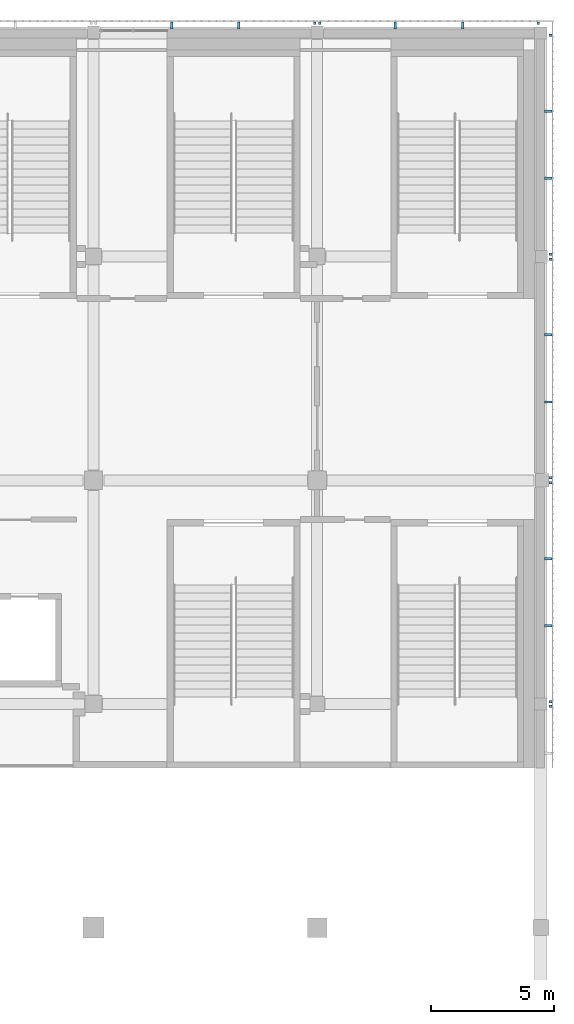
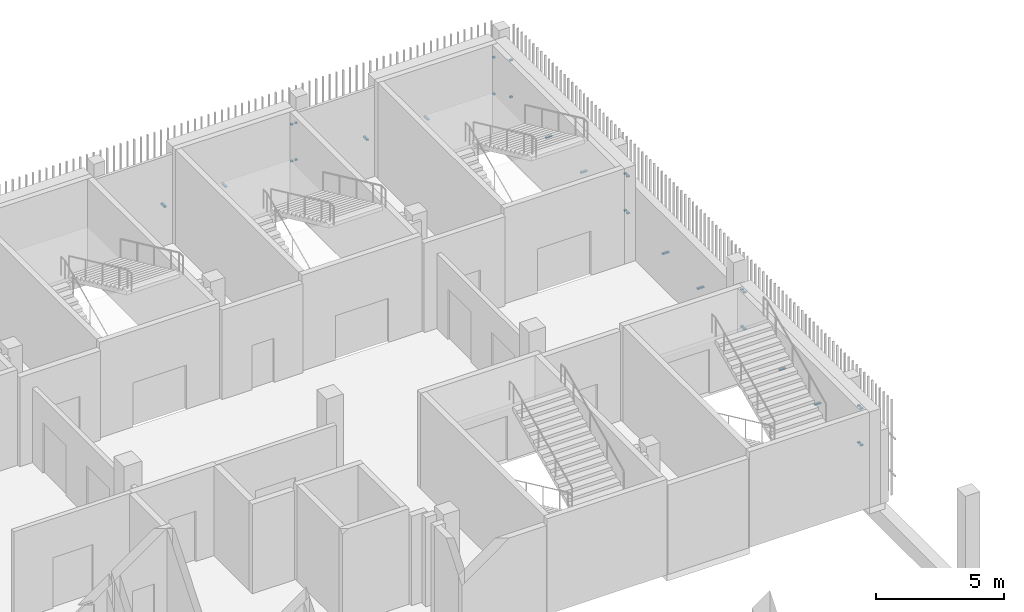
# One storey, part 86 of 104: 30 discrete accessories.
"""IFC4 building model written with IfcOpenShell, lengths in metres."""

from ifc_helpers import new_model, si_unit, direction, frame, origin, origin_2d, place, context, subcontext, project, spatial, rectangle, extrude, material, type_object, element, save


model = new_model("IFC4")

# Units and contexts
model_context = context("Model", 3, precision=1e-05, world=origin(), true_north=direction((0.0, 1.0)))
body_context = subcontext(model_context, "Body", "Model", "MODEL_VIEW")
ifc_project = project(units=[si_unit("LENGTHUNIT", "METRE"), si_unit("AREAUNIT", "SQUARE_METRE"), si_unit("VOLUMEUNIT", "CUBIC_METRE"), si_unit("PLANEANGLEUNIT", "RADIAN"), si_unit("MASSUNIT", "GRAM", prefix="KILO")], contexts=[model_context])

# Site, building, storey
site_placement = place(None, origin())
site = spatial("IfcSite", under=ifc_project, at=site_placement, CompositionType="ELEMENT")
building_placement = place(site_placement, origin())
building = spatial("IfcBuilding", under=site, at=building_placement, Name="Shirokan Park Arena", CompositionType="ELEMENT")
storey_placement = place(building_placement, frame((0.0, 0.0, 10.919921875)))
storey = spatial("IfcBuildingStorey", under=building, at=storey_placement, Name="L02", CompositionType="ELEMENT", Elevation=10.919921875)

# Discrete accessories
ifc_material = material(Name="Steel S355", Category="steel")
discrete_accessory_type = type_object("IfcDiscreteAccessoryType", Name="Veil bracket 100x60", PredefinedType="BRACKET", material=ifc_material)
for number, where, z_axis, x_axis, name in (
    (1, (145.985107421875, 81.800048828125, 1.070068359375), (0.0, 0.0, 1.0), (0.0, 1.0, 0.0), "Veil bracket east bay 9 L02 2"),
    (2, (145.985107421875, 81.800048828125, 2.820068359375), (0.0, 0.0, 1.0), (0.0, 1.0, 0.0), "Veil bracket east bay 9 L02 4"),
    (3, (145.985107421875, 82.0, 1.070068359375), (0.0, 0.0, 1.0), (0.0, 1.0, 0.0), "Veil bracket east bay 10 L02 1"),
    (4, (145.985107421875, 90.89990234375, 1.070068359375), (0.0, 0.0, 1.0), (0.0, 1.0, 0.0), "Veil bracket east bay 10 L02 2"),
    (5, (145.985107421875, 82.0, 2.820068359375), (0.0, 0.0, 1.0), (0.0, 1.0, 0.0), "Veil bracket east bay 10 L02 3"),
    (6, (145.985107421875, 90.89990234375, 2.820068359375), (0.0, 0.0, 1.0), (0.0, 1.0, 0.0), "Veil bracket east bay 10 L02 4"),
):
    element("IfcDiscreteAccessory", number, at=place(storey_placement, frame(where, z_axis=z_axis, x_axis=x_axis)), inside=storey, type_object=discrete_accessory_type, Name=name, PredefinedType="BRACKET", context=body_context, shape_type="SweptSolid", body=[
        extrude(rectangle(XDim=0.10009765625, YDim=0.1201171875, at=origin_2d()), origin(), (0.0, 0.0, 1.0), 0.06005859375),
    ])
for number, where, z_axis, x_axis, name in (
    (7, (145.8974609375, 85.0849609375, 1.070068359375), (0.0, 0.0, 1.0), (0.0, 1.0, 0.0), "Veil bracket east bay 10 L02 wall 1"),
    (8, (145.8974609375, 87.81494140625, 1.070068359375), (0.0, 0.0, 1.0), (0.0, 1.0, 0.0), "Veil bracket east bay 10 L02 wall 2"),
):
    element("IfcDiscreteAccessory", number, at=place(storey_placement, frame(where, z_axis=z_axis, x_axis=x_axis)), inside=storey, type_object=discrete_accessory_type, Name=name, PredefinedType="BRACKET", context=body_context, shape_type="SweptSolid", body=[
        extrude(rectangle(XDim=0.10009765625, YDim=0.294921875, at=origin_2d()), origin(), (0.0, 0.0, 1.0), 0.06005859375),
    ])
for number, where, z_axis, x_axis, name in (
    (9, (145.985107421875, 91.10009765625, 1.070068359375), (0.0, 0.0, 1.0), (0.0, 1.0, 0.0), "Veil bracket east bay 11 L02 1"),
    (10, (145.985107421875, 100.0, 1.070068359375), (0.0, 0.0, 1.0), (0.0, 1.0, 0.0), "Veil bracket east bay 11 L02 2"),
    (11, (145.985107421875, 91.10009765625, 2.820068359375), (0.0, 0.0, 1.0), (0.0, 1.0, 0.0), "Veil bracket east bay 11 L02 3"),
    (12, (145.985107421875, 100.0, 2.820068359375), (0.0, 0.0, 1.0), (0.0, 1.0, 0.0), "Veil bracket east bay 11 L02 4"),
):
    element("IfcDiscreteAccessory", number, at=place(storey_placement, frame(where, z_axis=z_axis, x_axis=x_axis)), inside=storey, type_object=discrete_accessory_type, Name=name, PredefinedType="BRACKET", context=body_context, shape_type="SweptSolid", body=[
        extrude(rectangle(XDim=0.10009765625, YDim=0.1201171875, at=origin_2d()), origin(), (0.0, 0.0, 1.0), 0.06005859375),
    ])
for number, where, z_axis, x_axis, name in (
    (13, (145.8974609375, 94.18505859375, 1.070068359375), (0.0, 0.0, 1.0), (0.0, 1.0, 0.0), "Veil bracket east bay 11 L02 wall 1"),
    (14, (145.8974609375, 96.9150390625, 1.070068359375), (0.0, 0.0, 1.0), (0.0, 1.0, 0.0), "Veil bracket east bay 11 L02 wall 2"),
):
    element("IfcDiscreteAccessory", number, at=place(storey_placement, frame(where, z_axis=z_axis, x_axis=x_axis)), inside=storey, type_object=discrete_accessory_type, Name=name, PredefinedType="BRACKET", context=body_context, shape_type="SweptSolid", body=[
        extrude(rectangle(XDim=0.10009765625, YDim=0.294921875, at=origin_2d()), origin(), (0.0, 0.0, 1.0), 0.06005859375),
    ])
for number, where, z_axis, x_axis, name in (
    (15, (145.985107421875, 100.199951171875, 1.070068359375), (0.0, 0.0, 1.0), (0.0, 1.0, 0.0), "Veil bracket east bay 12 L02 1"),
    (16, (145.985107421875, 109.10009765625, 1.070068359375), (0.0, 0.0, 1.0), (0.0, 1.0, 0.0), "Veil bracket east bay 12 L02 2"),
    (17, (145.985107421875, 100.199951171875, 2.820068359375), (0.0, 0.0, 1.0), (0.0, 1.0, 0.0), "Veil bracket east bay 12 L02 3"),
    (18, (145.985107421875, 109.10009765625, 2.820068359375), (0.0, 0.0, 1.0), (0.0, 1.0, 0.0), "Veil bracket east bay 12 L02 4"),
):
    element("IfcDiscreteAccessory", number, at=place(storey_placement, frame(where, z_axis=z_axis, x_axis=x_axis)), inside=storey, type_object=discrete_accessory_type, Name=name, PredefinedType="BRACKET", context=body_context, shape_type="SweptSolid", body=[
        extrude(rectangle(XDim=0.10009765625, YDim=0.1201171875, at=origin_2d()), origin(), (0.0, 0.0, 1.0), 0.06005859375),
    ])
for number, where, z_axis, x_axis, name in (
    (19, (145.8974609375, 103.284912109375, 1.070068359375), (0.0, 0.0, 1.0), (0.0, 1.0, 0.0), "Veil bracket east bay 12 L02 wall 1"),
    (20, (145.8974609375, 106.014892578125, 1.070068359375), (0.0, 0.0, 1.0), (0.0, 1.0, 0.0), "Veil bracket east bay 12 L02 wall 2"),
):
    element("IfcDiscreteAccessory", number, at=place(storey_placement, frame(where, z_axis=z_axis, x_axis=x_axis)), inside=storey, type_object=discrete_accessory_type, Name=name, PredefinedType="BRACKET", context=body_context, shape_type="SweptSolid", body=[
        extrude(rectangle(XDim=0.10009765625, YDim=0.294921875, at=origin_2d()), origin(), (0.0, 0.0, 1.0), 0.06005859375),
    ])
for number, where, z_axis, x_axis, name in (
    (21, (145.5, 109.597412109375, 1.070068359375), (0.0, 0.0, 1.0), (-1.0, 0.0, 0.0), "Veil bracket north bay 1 L02 1"),
    (22, (136.60009765625, 109.597412109375, 1.070068359375), (0.0, 0.0, 1.0), (-1.0, 0.0, 0.0), "Veil bracket north bay 1 L02 2"),
    (23, (145.5, 109.597412109375, 2.820068359375), (0.0, 0.0, 1.0), (-1.0, 0.0, 0.0), "Veil bracket north bay 1 L02 3"),
    (24, (136.60009765625, 109.597412109375, 2.820068359375), (0.0, 0.0, 1.0), (-1.0, 0.0, 0.0), "Veil bracket north bay 1 L02 4"),
):
    element("IfcDiscreteAccessory", number, at=place(storey_placement, frame(where, z_axis=z_axis, x_axis=x_axis)), inside=storey, type_object=discrete_accessory_type, Name=name, PredefinedType="BRACKET", context=body_context, shape_type="SweptSolid", body=[
        extrude(rectangle(XDim=0.10009765625, YDim=0.094970703125, at=origin_2d()), origin(), (0.0, 0.0, 1.0), 0.06005859375),
    ])
for number, where, z_axis, x_axis, name in (
    (25, (142.4150390625, 109.49755859375, 1.070068359375), (0.0, 0.0, 1.0), (-1.0, 0.0, 0.0), "Veil bracket north bay 1 L02 wall 1"),
    (26, (139.68505859375, 109.49755859375, 1.070068359375), (0.0, 0.0, 1.0), (-1.0, 0.0, 0.0), "Veil bracket north bay 1 L02 wall 2"),
):
    element("IfcDiscreteAccessory", number, at=place(storey_placement, frame(where, z_axis=z_axis, x_axis=x_axis)), inside=storey, type_object=discrete_accessory_type, Name=name, PredefinedType="BRACKET", context=body_context, shape_type="SweptSolid", body=[
        extrude(rectangle(XDim=0.10009765625, YDim=0.294921875, at=origin_2d()), origin(), (0.0, 0.0, 1.0), 0.06005859375),
    ])
for number, where, z_axis, x_axis, name in (
    (27, (136.39990234375, 109.597412109375, 1.070068359375), (0.0, 0.0, 1.0), (-1.0, 0.0, 0.0), "Veil bracket north bay 2 L02 1"),
    (28, (136.39990234375, 109.597412109375, 2.820068359375), (0.0, 0.0, 1.0), (-1.0, 0.0, 0.0), "Veil bracket north bay 2 L02 3"),
):
    element("IfcDiscreteAccessory", number, at=place(storey_placement, frame(where, z_axis=z_axis, x_axis=x_axis)), inside=storey, type_object=discrete_accessory_type, Name=name, PredefinedType="BRACKET", context=body_context, shape_type="SweptSolid", body=[
        extrude(rectangle(XDim=0.10009765625, YDim=0.094970703125, at=origin_2d()), origin(), (0.0, 0.0, 1.0), 0.06005859375),
    ])
for number, where, z_axis, x_axis, name in (
    (29, (133.31494140625, 109.49755859375, 1.070068359375), (0.0, 0.0, 1.0), (-1.0, 0.0, 0.0), "Veil bracket north bay 2 L02 wall 1"),
    (30, (130.5849609375, 109.49755859375, 1.070068359375), (0.0, 0.0, 1.0), (-1.0, 0.0, 0.0), "Veil bracket north bay 2 L02 wall 2"),
):
    element("IfcDiscreteAccessory", number, at=place(storey_placement, frame(where, z_axis=z_axis, x_axis=x_axis)), inside=storey, type_object=discrete_accessory_type, Name=name, PredefinedType="BRACKET", context=body_context, shape_type="SweptSolid", body=[
        extrude(rectangle(XDim=0.10009765625, YDim=0.294921875, at=origin_2d()), origin(), (0.0, 0.0, 1.0), 0.06005859375),
    ])

save(model, "model.ifc")
